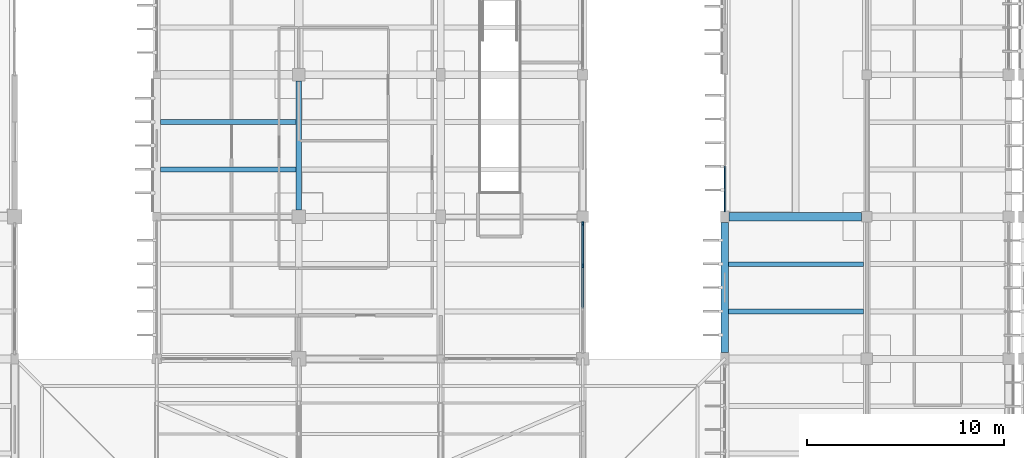
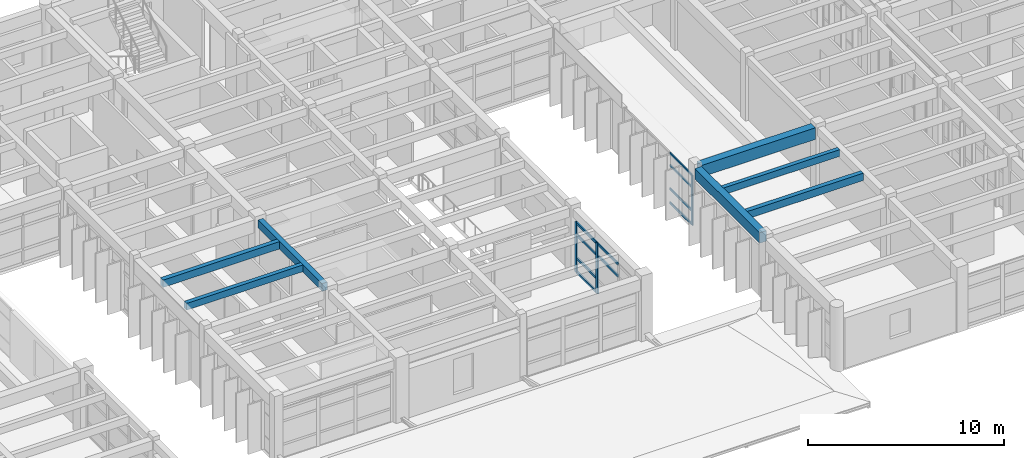
# One storey, part 27 of 100: 13 members, 7 beams, 2 elements without a shape of their own.
"""IFC4 building model written with IfcOpenShell, lengths in metres."""

from ifc_helpers import new_model, si_unit, direction, frame, origin, origin_2d, place, context, subcontext, project, spatial, rectangle, extrude, material, material_profile, profile_set, type_object, element, aggregate, save


model = new_model("IFC4")

# Units and contexts
model_context = context("Model", 3, precision=1e-05, world=origin(), true_north=direction((0.0, 1.0)))
body_context = subcontext(model_context, "Body", "Model", "MODEL_VIEW")
ifc_project = project(units=[si_unit("LENGTHUNIT", "METRE"), si_unit("AREAUNIT", "SQUARE_METRE"), si_unit("VOLUMEUNIT", "CUBIC_METRE"), si_unit("PLANEANGLEUNIT", "RADIAN"), si_unit("MASSUNIT", "GRAM", prefix="KILO")], contexts=[model_context])

# Site, building, storey
site_placement = place(None, origin())
site = spatial("IfcSite", under=ifc_project, at=site_placement, CompositionType="ELEMENT")
building_placement = place(site_placement, origin())
building = spatial("IfcBuilding", under=site, at=building_placement, Name="Steenspoor Specialist Clinic", CompositionType="ELEMENT")
storey_placement = place(building_placement, frame((0.0, 0.0, 9.0)))
storey = spatial("IfcBuildingStorey", under=building, at=storey_placement, Name="L02", CompositionType="ELEMENT", Elevation=9.0)

# Beams
ifc_material_1 = material(Name="Concrete C35/45", Category="concrete")
ifc_material_profile_1 = material_profile(ifc_material_1, rectangle(XDim=0.300048828125, YDim=0.47998046875, at=origin_2d()), Name="RC-BM-300X480")
ifc_profile_set_1 = profile_set([ifc_material_profile_1], Name="Concrete C35/45")
beam_type_1 = type_object("IfcBeamType", Name="BM-RC-300X480", PredefinedType="BEAM", material=ifc_profile_set_1)
beam_1_placement = place(storey_placement, frame((81.199951171875, 79.89501953125, 3.7099609375), z_axis=(0.0, 1.0, 0.0), x_axis=(-1.0, 0.0, 0.0)))
element("IfcBeam", 1, at=beam_1_placement, inside=storey, type_object=beam_type_1, Name="BM-V4-L02-Y0707", PredefinedType="BEAM", context=body_context, shape_type="SweptSolid", body=[
    extrude(rectangle(XDim=0.300048828125, YDim=0.47998046875, at=origin_2d()), origin(), (0.0, 0.0, 1.0), 6.534912109375),
])
ifc_material_profile_2 = material_profile(ifc_material_1, rectangle(XDim=0.39990234375, YDim=0.64990234375, at=origin_2d()), Name="RC-BM-400X650")
ifc_profile_set_2 = profile_set([ifc_material_profile_2], Name="Concrete C35/45")
beam_type_2 = type_object("IfcBeamType", Name="BM-RC-400X650", PredefinedType="BEAM", material=ifc_profile_set_2)
beam_2_placement = place(storey_placement, frame((102.800048828125, 72.669921875, 3.625), z_axis=(0.0, 1.0, 0.0), x_axis=(-1.0, 0.0, 0.0)))
element("IfcBeam", 2, at=beam_2_placement, inside=storey, type_object=beam_type_2, Name="BM-V4-L02-Y0722", PredefinedType="BEAM", context=body_context, shape_type="SweptSolid", body=[
    extrude(rectangle(XDim=0.39990234375, YDim=0.64990234375, at=origin_2d()), origin(), (0.0, 0.0, 1.0), 6.5849609375),
])
ifc_material_profile_3 = material_profile(ifc_material_1, rectangle(XDim=0.449951171875, YDim=0.719970703125, at=origin_2d()), Name="RC-BM-450X720")
ifc_profile_set_3 = profile_set([ifc_material_profile_3], Name="Concrete C35/45")
beam_type_3 = type_object("IfcBeamType", Name="BM-RC-450X720", PredefinedType="BEAM", material=ifc_profile_set_3)
beam_3_placement = place(storey_placement, frame((103.02001953125, 79.550048828125, 3.590087890625), z_axis=(1.0, 0.0, 0.0), x_axis=(0.0, 1.0, 0.0)))
element("IfcBeam", 3, at=beam_3_placement, inside=storey, type_object=beam_type_3, Name="BM-V4-L02-X0654", PredefinedType="BEAM", context=body_context, shape_type="SweptSolid", body=[
    extrude(rectangle(XDim=0.449951171875, YDim=0.719970703125, at=origin_2d()), origin(), (0.0, 0.0, 1.0), 6.7099609375),
])

# Curtain wall, member
ifc_material_2 = material(Name="Thermally broken aluminium and low-emissivity glass", Category="aluminium")
curtain_wall_type_1 = type_object("IfcCurtainWallType", Name="CW-WLK-640X340", PredefinedType="USERDEFINED", material=ifc_material_2)
curtain_wall_1_placement = place(storey_placement, origin())
curtain_wall_1 = element("IfcCurtainWall", 4, at=curtain_wall_1_placement, inside=storey, type_object=curtain_wall_type_1, Name="Unitised Curtain Wall CW-V4-L02-092", ObjectType="UNITISED GLAZING", PredefinedType="USERDEFINED")
ifc_material_3 = material(Name="Thermally broken aluminium 6063-T6", Category="aluminium")
ifc_material_profile_4 = material_profile(ifc_material_3, rectangle(XDim=0.070068359375, YDim=0.1650390625, at=origin_2d()), Name="CWM-70X165")
ifc_profile_set_4 = profile_set([ifc_material_profile_4], Name="Thermally broken aluminium 6063-T6")
member_type_1 = type_object("IfcMemberType", Name="CW-MULL-70X165", PredefinedType="MULLION", material=ifc_profile_set_4)
member_1_placement = place(storey_placement, frame((102.800048828125, 79.885009765625, 0.0), z_axis=(0.0, 0.0, 1.0), x_axis=(-1.0, 0.0, 0.0)))
member_1 = element("IfcMember", 5, at=member_1_placement, type_object=member_type_1, Name="CW-20 mullion 1", PredefinedType="MULLION", context=body_context, shape_type="SweptSolid", body=[
    extrude(rectangle(XDim=0.070068359375, YDim=0.1650390625, at=origin_2d()), origin(), (0.0, 0.0, 1.0), 3.1298828125),
])

# Curtain wall, members
curtain_wall_type_2 = type_object("IfcCurtainWallType", Name="CW-STR-220X355", PredefinedType="USERDEFINED", material=ifc_material_2)
curtain_wall_2_placement = place(storey_placement, origin())
curtain_wall_2 = element("IfcCurtainWall", 6, at=curtain_wall_2_placement, inside=storey, type_object=curtain_wall_type_2, Name="Unitised Curtain Wall CW-V4-L02-095", ObjectType="UNITISED GLAZING", PredefinedType="USERDEFINED")
ifc_material_profile_5 = material_profile(ifc_material_3, rectangle(XDim=0.090087890625, YDim=0.199951171875, at=origin_2d()), Name="CWM-90X200")
ifc_profile_set_5 = profile_set([ifc_material_profile_5], Name="Thermally broken aluminium 6063-T6")
member_type_2 = type_object("IfcMemberType", Name="CW-MULL-90X200", PredefinedType="MULLION", material=ifc_profile_set_5)
member_2_placement = place(storey_placement, frame((95.60009765625, 79.205078125, 0.0), z_axis=(0.0, 0.0, 1.0), x_axis=(1.0, 0.0, 0.0)))
member_2 = element("IfcMember", 7, at=member_2_placement, type_object=member_type_2, Name="CW-23 mullion 1", PredefinedType="MULLION", context=body_context, shape_type="SweptSolid", body=[
    extrude(rectangle(XDim=0.090087890625, YDim=0.199951171875, at=origin_2d()), origin(), (0.0, 0.0, 1.0), 3.1298828125),
])
member_3_placement = place(storey_placement, frame((95.60009765625, 77.058349609375, 0.0), z_axis=(0.0, 0.0, 1.0), x_axis=(1.0, 0.0, 0.0)))
member_3 = element("IfcMember", 8, at=member_3_placement, type_object=member_type_2, Name="CW-23 mullion 2", PredefinedType="MULLION", context=body_context, shape_type="SweptSolid", body=[
    extrude(rectangle(XDim=0.090087890625, YDim=0.199951171875, at=origin_2d()), origin(), (0.0, 0.0, 1.0), 3.1298828125),
])

# Member
ifc_material_profile_6 = material_profile(ifc_material_3, rectangle(XDim=0.06494140625, YDim=0.1298828125, at=origin_2d()), Name="CWT-65X130")
ifc_profile_set_6 = profile_set([ifc_material_profile_6], Name="Thermally broken aluminium 6063-T6")
member_type_3 = type_object("IfcMemberType", Name="CW-TRAN-65X130", PredefinedType="USERDEFINED", material=ifc_profile_set_6)
member_4_placement = place(storey_placement, frame((102.800048828125, 79.919921875, 0.032470703125), z_axis=(0.0, 1.0, 0.0), x_axis=(-1.0, 0.0, 0.0)))
member_4 = element("IfcMember", 9, at=member_4_placement, type_object=member_type_3, Name="CW-20 transom 1.1", ObjectType="TRANSOM", PredefinedType="USERDEFINED", context=body_context, shape_type="SweptSolid", body=[
    extrude(rectangle(XDim=0.06494140625, YDim=0.1298828125, at=origin_2d()), origin(), (0.0, 0.0, 1.0), 2.19921875),
])

member_5_placement = place(storey_placement, frame((102.800048828125, 79.919921875, 0.89990234375), z_axis=(0.0, 1.0, 0.0), x_axis=(-1.0, 0.0, 0.0)))
member_5 = element("IfcMember", 10, at=member_5_placement, type_object=member_type_3, Name="CW-20 transom 1.2", ObjectType="TRANSOM", PredefinedType="USERDEFINED", context=body_context, shape_type="SweptSolid", body=[
    extrude(rectangle(XDim=0.06494140625, YDim=0.1298828125, at=origin_2d()), origin(), (0.0, 0.0, 1.0), 2.19921875),
])

member_6_placement = place(storey_placement, frame((102.800048828125, 79.919921875, 2.35009765625), z_axis=(0.0, 1.0, 0.0), x_axis=(-1.0, 0.0, 0.0)))
member_6 = element("IfcMember", 11, at=member_6_placement, type_object=member_type_3, Name="CW-20 transom 1.3", ObjectType="TRANSOM", PredefinedType="USERDEFINED", context=body_context, shape_type="SweptSolid", body=[
    extrude(rectangle(XDim=0.06494140625, YDim=0.1298828125, at=origin_2d()), origin(), (0.0, 0.0, 1.0), 2.19921875),
])

member_7_placement = place(storey_placement, frame((102.800048828125, 79.919921875, 3.097412109375), z_axis=(0.0, 1.0, 0.0), x_axis=(-1.0, 0.0, 0.0)))
member_7 = element("IfcMember", 12, at=member_7_placement, type_object=member_type_3, Name="CW-20 transom 1.4", ObjectType="TRANSOM", PredefinedType="USERDEFINED", context=body_context, shape_type="SweptSolid", body=[
    extrude(rectangle(XDim=0.06494140625, YDim=0.1298828125, at=origin_2d()), origin(), (0.0, 0.0, 1.0), 2.19921875),
])

aggregate(curtain_wall_1, [member_1, member_4, member_5, member_6, member_7])

ifc_material_profile_7 = material_profile(ifc_material_3, rectangle(XDim=0.080078125, YDim=0.159912109375, at=origin_2d()), Name="CWT-80X160")
ifc_profile_set_7 = profile_set([ifc_material_profile_7], Name="Thermally broken aluminium 6063-T6")
member_type_4 = type_object("IfcMemberType", Name="CW-TRAN-80X160", PredefinedType="USERDEFINED", material=ifc_profile_set_7)
member_8_placement = place(storey_placement, frame((95.60009765625, 79.159912109375, 0.0400390625), z_axis=(0.0, -1.0, 0.0), x_axis=(1.0, 0.0, 0.0)))
member_8 = element("IfcMember", 13, at=member_8_placement, type_object=member_type_4, Name="CW-23 transom 1.1", ObjectType="TRANSOM", PredefinedType="USERDEFINED", context=body_context, shape_type="SweptSolid", body=[
    extrude(rectangle(XDim=0.080078125, YDim=0.159912109375, at=origin_2d()), origin(), (0.0, 0.0, 1.0), 2.056640625),
])

member_9_placement = place(storey_placement, frame((95.60009765625, 79.159912109375, 0.89990234375), z_axis=(0.0, -1.0, 0.0), x_axis=(1.0, 0.0, 0.0)))
member_9 = element("IfcMember", 14, at=member_9_placement, type_object=member_type_4, Name="CW-23 transom 1.2", ObjectType="TRANSOM", PredefinedType="USERDEFINED", context=body_context, shape_type="SweptSolid", body=[
    extrude(rectangle(XDim=0.080078125, YDim=0.159912109375, at=origin_2d()), origin(), (0.0, 0.0, 1.0), 2.056640625),
])

member_10_placement = place(storey_placement, frame((95.60009765625, 79.159912109375, 2.35009765625), z_axis=(0.0, -1.0, 0.0), x_axis=(1.0, 0.0, 0.0)))
member_10 = element("IfcMember", 15, at=member_10_placement, type_object=member_type_4, Name="CW-23 transom 1.3", ObjectType="TRANSOM", PredefinedType="USERDEFINED", context=body_context, shape_type="SweptSolid", body=[
    extrude(rectangle(XDim=0.080078125, YDim=0.159912109375, at=origin_2d()), origin(), (0.0, 0.0, 1.0), 2.056640625),
])

member_11_placement = place(storey_placement, frame((95.60009765625, 79.159912109375, 3.090087890625), z_axis=(0.0, -1.0, 0.0), x_axis=(1.0, 0.0, 0.0)))
member_11 = element("IfcMember", 16, at=member_11_placement, type_object=member_type_4, Name="CW-23 transom 1.4", ObjectType="TRANSOM", PredefinedType="USERDEFINED", context=body_context, shape_type="SweptSolid", body=[
    extrude(rectangle(XDim=0.080078125, YDim=0.159912109375, at=origin_2d()), origin(), (0.0, 0.0, 1.0), 2.056640625),
])

member_12_placement = place(storey_placement, frame((95.60009765625, 77.013427734375, 2.35009765625), z_axis=(0.0, -1.0, 0.0), x_axis=(1.0, 0.0, 0.0)))
member_12 = element("IfcMember", 17, at=member_12_placement, type_object=member_type_4, Name="CW-23 transom 2.3", ObjectType="TRANSOM", PredefinedType="USERDEFINED", context=body_context, shape_type="SweptSolid", body=[
    extrude(rectangle(XDim=0.080078125, YDim=0.159912109375, at=origin_2d()), origin(), (0.0, 0.0, 1.0), 2.101806640625),
])

member_13_placement = place(storey_placement, frame((95.60009765625, 77.013427734375, 3.090087890625), z_axis=(0.0, -1.0, 0.0), x_axis=(1.0, 0.0, 0.0)))
member_13 = element("IfcMember", 18, at=member_13_placement, type_object=member_type_4, Name="CW-23 transom 2.4", ObjectType="TRANSOM", PredefinedType="USERDEFINED", context=body_context, shape_type="SweptSolid", body=[
    extrude(rectangle(XDim=0.080078125, YDim=0.159912109375, at=origin_2d()), origin(), (0.0, 0.0, 1.0), 2.101806640625),
])

aggregate(curtain_wall_2, [member_2, member_3, member_8, member_9, member_10, member_11, member_12, member_13])

# Beams
ifc_material_profile_8 = material_profile(ifc_material_1, rectangle(XDim=0.239990234375, YDim=0.419921875, at=origin_2d()), Name="RC-JT-240X420")
ifc_profile_set_8 = profile_set([ifc_material_profile_8], Name="Concrete C35/45")
beam_type_4 = type_object("IfcBeamType", Name="JT-RC-240X420", PredefinedType="JOIST", material=ifc_profile_set_8)
beam_4_placement = place(storey_placement, frame((74.195068359375, 81.949951171875, 3.739990234375), z_axis=(1.0, 0.0, 0.0), x_axis=(0.0, 1.0, 0.0)))
element("IfcBeam", 19, at=beam_4_placement, inside=storey, type_object=beam_type_4, Name="JT-V4-L02-0762", PredefinedType="JOIST", context=body_context, shape_type="SweptSolid", body=[
    extrude(rectangle(XDim=0.239990234375, YDim=0.419921875, at=origin_2d()), origin(), (0.0, 0.0, 1.0), 6.85986328125),
])
beam_5_placement = place(storey_placement, frame((102.9951171875, 77.14990234375, 3.739990234375), z_axis=(1.0, 0.0, 0.0), x_axis=(0.0, 1.0, 0.0)))
element("IfcBeam", 20, at=beam_5_placement, inside=storey, type_object=beam_type_4, Name="JT-V4-L02-0793", PredefinedType="JOIST", context=body_context, shape_type="SweptSolid", body=[
    extrude(rectangle(XDim=0.239990234375, YDim=0.419921875, at=origin_2d()), origin(), (0.0, 0.0, 1.0), 6.8349609375),
])
ifc_material_profile_9 = material_profile(ifc_material_1, rectangle(XDim=0.260009765625, YDim=0.4599609375, at=origin_2d()), Name="RC-JT-260X460")
ifc_profile_set_9 = profile_set([ifc_material_profile_9], Name="Concrete C35/45")
beam_type_5 = type_object("IfcBeamType", Name="JT-RC-260X460", PredefinedType="JOIST", material=ifc_profile_set_9)
beam_6_placement = place(storey_placement, frame((74.195068359375, 84.35009765625, 3.719970703125), z_axis=(1.0, 0.0, 0.0), x_axis=(0.0, 1.0, 0.0)))
element("IfcBeam", 21, at=beam_6_placement, inside=storey, type_object=beam_type_5, Name="JT-V4-L02-0763", PredefinedType="JOIST", context=body_context, shape_type="SweptSolid", body=[
    extrude(rectangle(XDim=0.260009765625, YDim=0.4599609375, at=origin_2d()), origin(), (0.0, 0.0, 1.0), 6.85986328125),
])
beam_7_placement = place(storey_placement, frame((102.9951171875, 74.75, 3.719970703125), z_axis=(1.0, 0.0, 0.0), x_axis=(0.0, 1.0, 0.0)))
element("IfcBeam", 22, at=beam_7_placement, inside=storey, type_object=beam_type_5, Name="JT-V4-L02-0792", PredefinedType="JOIST", context=body_context, shape_type="SweptSolid", body=[
    extrude(rectangle(XDim=0.260009765625, YDim=0.4599609375, at=origin_2d()), origin(), (0.0, 0.0, 1.0), 6.8349609375),
])

save(model, "model.ifc")
